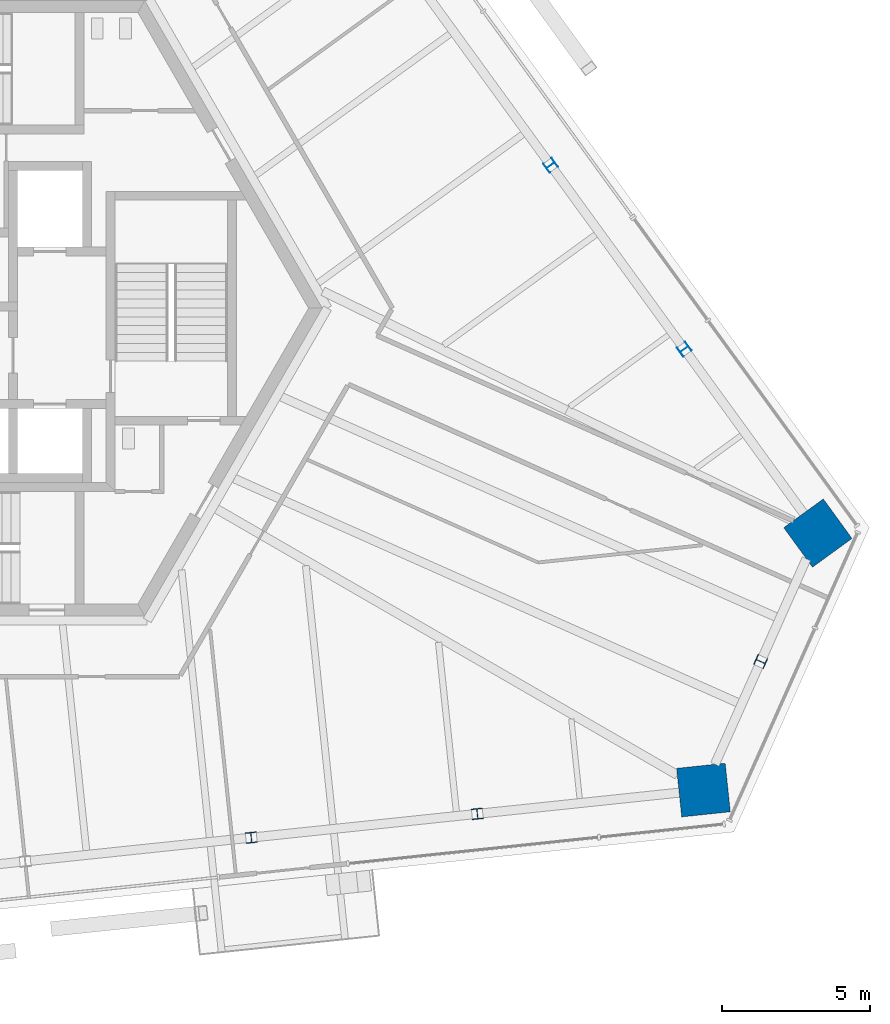
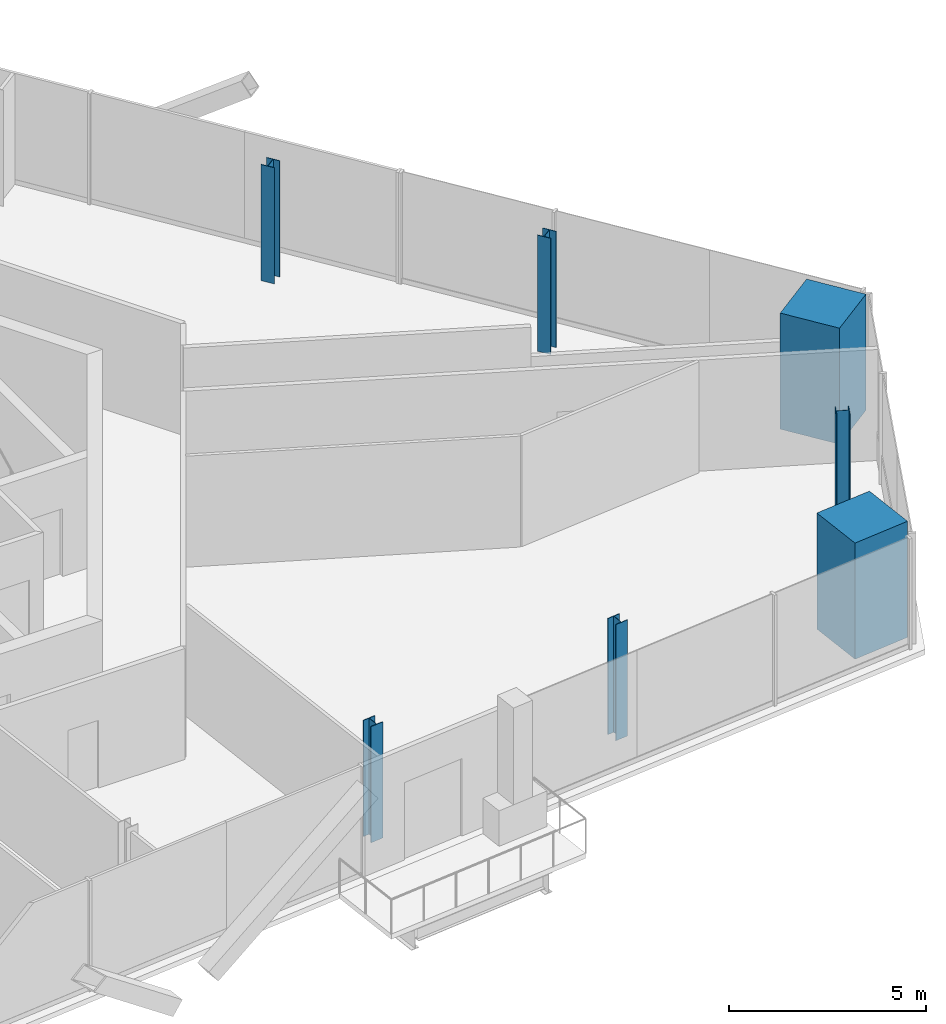
# One storey, part 2 of 18: 7 columns.
"""IFC4 building model written with IfcOpenShell, lengths in metres."""

from ifc_helpers import new_model, si_unit, direction, frame, origin, origin_2d, place, context, subcontext, project, spatial, rectangle, i_section, extrude, source, transform, mapped, material, material_profile, profile_set, type_object, element, save


model = new_model("IFC4")

# Units and contexts
model_context = context("Model", 3, precision=1e-05, world=origin(), true_north=direction((0.0, 1.0)))
body_context = subcontext(model_context, "Body", "Model", "MODEL_VIEW")
ifc_project = project(units=[si_unit("LENGTHUNIT", "METRE"), si_unit("AREAUNIT", "SQUARE_METRE"), si_unit("VOLUMEUNIT", "CUBIC_METRE"), si_unit("PLANEANGLEUNIT", "RADIAN"), si_unit("MASSUNIT", "GRAM", prefix="KILO")], contexts=[model_context])

# Site, building, storey
site_placement = place(None, origin())
site = spatial("IfcSite", under=ifc_project, at=site_placement, CompositionType="ELEMENT")
building_placement = place(site_placement, origin())
building = spatial("IfcBuilding", under=site, at=building_placement, Name="Triune Harvest Tower", CompositionType="ELEMENT")
storey_placement = place(building_placement, frame((0.0, 0.0, 237.699951171875)))
storey = spatial("IfcBuildingStorey", under=building, at=storey_placement, Name="L62", CompositionType="ELEMENT", Elevation=237.699951171875)

# Columns
ifc_material_1 = material(Name="Steel ASTM A992 Gr 50", Category="steel")
ifc_material_profile_1 = material_profile(ifc_material_1, i_section(OverallWidth=0.368408203125, OverallDepth=0.355712890625, WebThickness=0.01123046875, FlangeThickness=0.01806640625, at=origin_2d()), Name="W14x90")
ifc_profile_set_1 = profile_set([ifc_material_profile_1], Name="Steel ASTM A992 Gr 50")
column_type_1 = type_object("IfcColumnType", Name="PC-6 Perimeter column W14x90", PredefinedType="COLUMN", material=ifc_profile_set_1)
shared_shape_1 = source(origin(), body_context, "Body", "SweptSolid", [
    extrude(i_section(OverallWidth=0.368408203125, OverallDepth=0.355712890625, WebThickness=0.01123046875, FlangeThickness=0.01806640625, at=origin_2d()), origin(), (0.0, 0.0, 1.0), 3.60009765625),
])
for number, where, z_axis, x_axis, name in (
    (1, (24.2275390625, -1.38232421875, 0.0), (0.0, 0.0, 1.0), (-0.587785252292, 0.809016994375, 0.0), "col/L62/P1"),
    (2, (19.713623046875, 4.83056640625, 0.0), (0.0, 0.0, 1.0), (-0.587785252292, 0.809016994375, 0.0), "col/L62/P2"),
    (3, (9.601318359375, -17.88232421875, 0.0), (0.0, 0.0, 1.0), (0.99452171293, 0.104530199036, 0.0), "col/L62/P20"),
    (4, (17.238525390625, -17.07958984375, 0.0), (0.0, 0.0, 1.0), (0.99452171293, 0.104530199036, 0.0), "col/L62/P21"),
    (5, (26.80859375, -11.93603515625, 0.0), (0.0, 0.0, 1.0), (0.406741426383, 0.913543327962, 0.0), "col/L62/P23"),
):
    element("IfcColumn", number, at=place(storey_placement, frame(where, z_axis=z_axis, x_axis=x_axis)), inside=storey, type_object=column_type_1, Name=name, PredefinedType="COLUMN", context=body_context, shape_type="MappedRepresentation", body=[
        mapped(shared_shape_1, transform((0.0, 0.0, 0.0), scale=1.0)),
    ])
ifc_material_2 = material(Name="Concrete 70 MPa", Category="concrete")
ifc_material_profile_2 = material_profile(ifc_material_2, rectangle(XDim=1.64990234375, YDim=1.64990234375, at=origin_2d()), Name="Composite 1650x1650")
ifc_profile_set_2 = profile_set([ifc_material_profile_2], Name="Concrete 70 MPa")
column_type_2 = type_object("IfcColumnType", Name="MC-6 Mega column Composite 1650x1650", PredefinedType="COLUMN", material=ifc_profile_set_2)
shared_shape_2 = source(origin(), body_context, "Body", "SweptSolid", [
    extrude(rectangle(XDim=1.64990234375, YDim=1.64990234375, at=origin_2d()), origin(), (0.0, 0.0, 1.0), 3.60009765625),
])
for number, where, z_axis, x_axis, name in (
    (6, (28.741455078125, -7.59521484375, 0.0), (0.0, 0.0, 1.0), (-0.587785252292, 0.809016994375, 0.0), "col/L62/M0"),
    (7, (24.8759765625, -16.27685546875, 0.0), (0.0, 0.0, 1.0), (0.99452171293, 0.104530199036, 0.0), "col/L62/M22"),
):
    element("IfcColumn", number, at=place(storey_placement, frame(where, z_axis=z_axis, x_axis=x_axis)), inside=storey, type_object=column_type_2, Name=name, PredefinedType="COLUMN", context=body_context, shape_type="MappedRepresentation", body=[
        mapped(shared_shape_2, transform((0.0, 0.0, 0.0), scale=1.0)),
    ])

save(model, "model.ifc")
